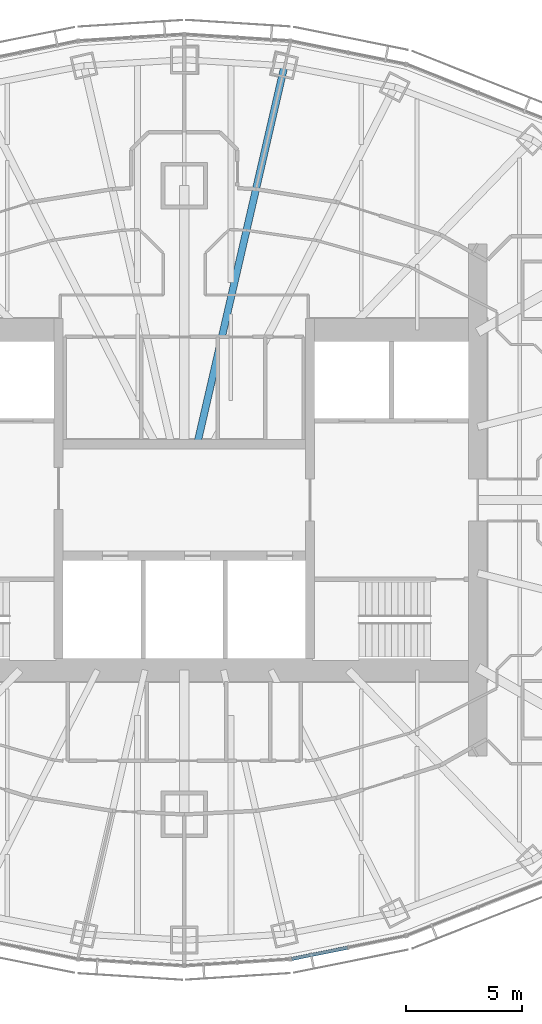
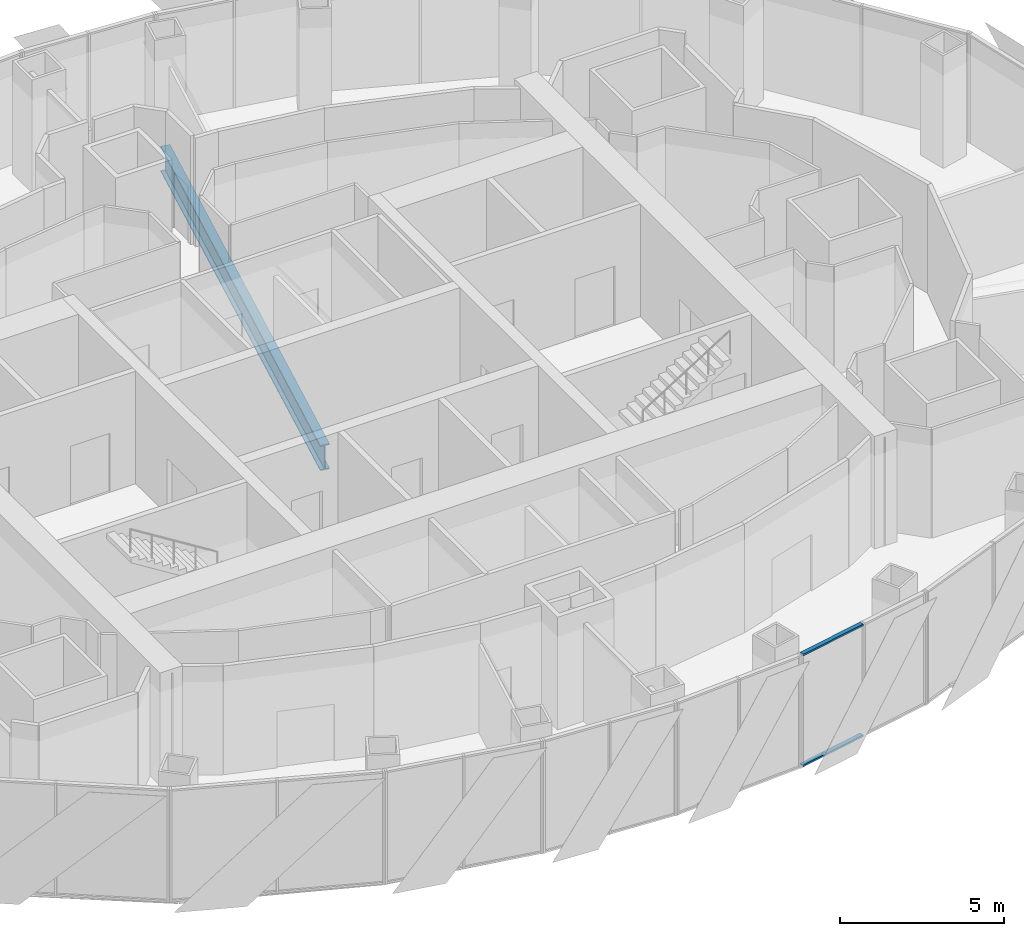
# One storey, part 5 of 18: 2 members, 1 beam, 1 element without a shape of its own.
"""IFC4 building model written with IfcOpenShell, lengths in metres."""

from ifc_helpers import new_model, si_unit, direction, frame, origin, origin_2d, place, context, subcontext, project, spatial, rectangle, i_section, extrude, material, material_profile, profile_set, type_object, element, aggregate, save


model = new_model("IFC4")

# Units and contexts
model_context = context("Model", 3, precision=1e-05, world=origin(), true_north=direction((0.0, 1.0)))
body_context = subcontext(model_context, "Body", "Model", "MODEL_VIEW")
ifc_project = project(units=[si_unit("LENGTHUNIT", "METRE"), si_unit("AREAUNIT", "SQUARE_METRE"), si_unit("VOLUMEUNIT", "CUBIC_METRE"), si_unit("PLANEANGLEUNIT", "RADIAN"), si_unit("MASSUNIT", "GRAM", prefix="KILO")], contexts=[model_context])

# Site, building, storey
site_placement = place(None, origin())
site = spatial("IfcSite", under=ifc_project, at=site_placement, CompositionType="ELEMENT")
building_placement = place(site_placement, origin())
building = spatial("IfcBuilding", under=site, at=building_placement, Name="Lantaw Convention Tower", CompositionType="ELEMENT")
storey_placement = place(building_placement, frame((0.0, 0.0, 257.800048828125)))
storey = spatial("IfcBuildingStorey", under=building, at=storey_placement, Name="L60", CompositionType="ELEMENT", Elevation=257.800048828125)

# Beam
ifc_material_1 = material(Name="Steel ASTM A992", Category="steel")
ifc_material_profile_1 = material_profile(ifc_material_1, i_section(OverallWidth=0.307373046875, OverallDepth=0.9423828125, WebThickness=0.022216796875, FlangeThickness=0.039794921875, FilletRadius=0.0126953125, at=origin_2d()), Name="W36X232")
ifc_profile_set_1 = profile_set([ifc_material_profile_1], Name="Steel ASTM A992")
beam_type = type_object("IfcBeamType", Name="Beam G W36X232", PredefinedType="BEAM", material=ifc_profile_set_1)
beam_placement = place(storey_placement, frame((0.55419921875, 2.39990234375, -0.621337890625), z_axis=(0.224948287002, 0.974370703672, 0.0), x_axis=(-0.974370703672, 0.224948287002, 0.0)))
element("IfcBeam", 1, at=beam_placement, inside=storey, type_object=beam_type, Name="Floor girder on ray 6", PredefinedType="BEAM", context=body_context, shape_type="SweptSolid", body=[
    extrude(i_section(OverallWidth=0.307373046875, OverallDepth=0.9423828125, WebThickness=0.022216796875, FlangeThickness=0.039794921875, FilletRadius=0.0126953125, at=origin_2d()), origin(), (0.0, 0.0, 1.0), 16.66943359375),
])

# Curtain wall, members
ifc_material_2 = material(Name="Aluminium framed curtain wall", Category="aluminium")
curtain_wall_type = type_object("IfcCurtainWallType", Name="Office curtain wall high rise, pale aluminium", PredefinedType="USERDEFINED", material=ifc_material_2)
curtain_wall_placement = place(storey_placement, origin())
curtain_wall = element("IfcCurtainWall", 2, at=curtain_wall_placement, inside=storey, type_object=curtain_wall_type, Name="Office curtain wall high rise, pale aluminium L60", ObjectType="UNITISED CURTAIN WALL", PredefinedType="USERDEFINED")
ifc_material_3 = material(Name="Aluminium 6063-T6", Category="aluminium")
ifc_material_profile_2 = material_profile(ifc_material_3, rectangle(XDim=0.14990234375, YDim=0.06494140625, at=origin_2d()), Name="CW-O2 transom 65x150")
ifc_profile_set_2 = profile_set([ifc_material_profile_2], Name="Aluminium 6063-T6")
member_type = type_object("IfcMemberType", Name="CW-O2 transom 65x150", PredefinedType="USERDEFINED", material=ifc_profile_set_2)
member_1_placement = place(storey_placement, frame((4.614990234375, -19.700927734375, -0.117431640625), z_axis=(0.980380354178, 0.197115096178, 0.0), x_axis=(-0.197115096178, 0.980380354178, 0.0)))
member_1 = element("IfcMember", 3, at=member_1_placement, type_object=member_type, Name="CW-O2 transom 1.1", ObjectType="TRANSOM", PredefinedType="USERDEFINED", context=body_context, shape_type="SweptSolid", body=[
    extrude(rectangle(XDim=0.14990234375, YDim=0.06494140625, at=origin_2d()), origin(), (0.0, 0.0, 1.0), 2.443603515625),
])
member_2_placement = place(storey_placement, frame((4.614990234375, -19.700927734375, 4.017333984375), z_axis=(0.980380354178, 0.197115096178, 0.0), x_axis=(-0.197115096178, 0.980380354178, 0.0)))
member_2 = element("IfcMember", 4, at=member_2_placement, type_object=member_type, Name="CW-O2 transom 1.2", ObjectType="TRANSOM", PredefinedType="USERDEFINED", context=body_context, shape_type="SweptSolid", body=[
    extrude(rectangle(XDim=0.14990234375, YDim=0.06494140625, at=origin_2d()), origin(), (0.0, 0.0, 1.0), 2.443603515625),
])
aggregate(curtain_wall, [member_1, member_2])

save(model, "model.ifc")
